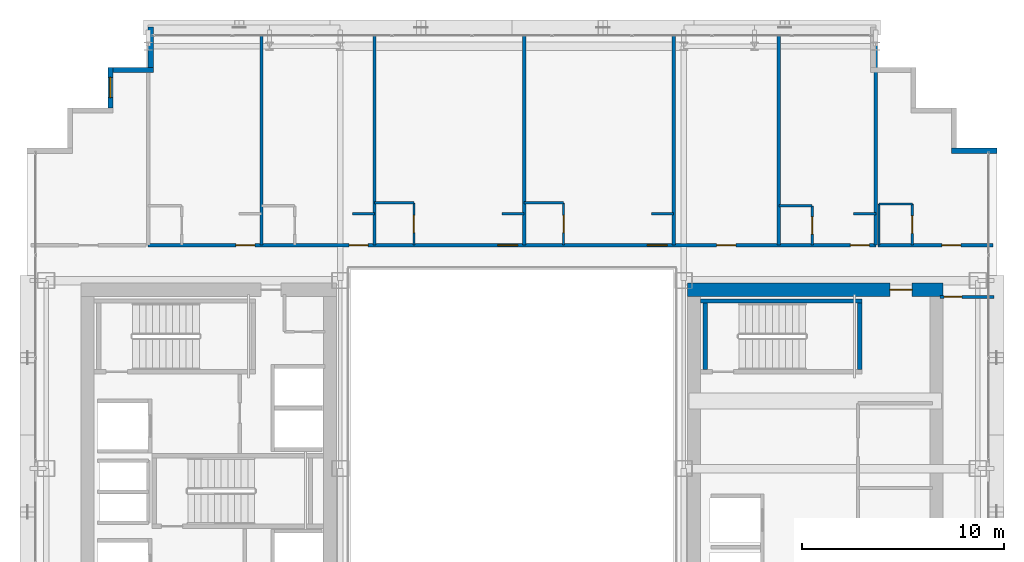
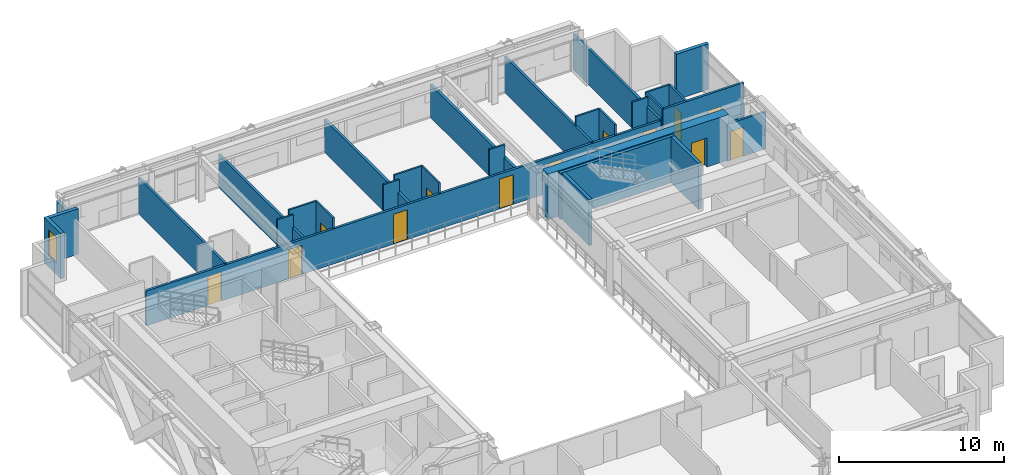
# One storey, part 30 of 35: 30 walls, 13 doors, 1 window, 14 openings.
"""IFC4 building model written with IfcOpenShell, lengths in metres."""

from ifc_helpers import new_model, si_unit, direction, frame, frame_2d, origin, place, context, subcontext, project, spatial, rectangle, extrude, source, transform, mapped, material, layer, layer_set, type_object, element, fill, save


model = new_model("IFC4")

# Units and contexts
model_context = context("Model", 3, precision=1e-05, world=origin(), true_north=direction((0.0, 1.0)))
body_context = subcontext(model_context, "Body", "Model", "MODEL_VIEW")
ifc_project = project(units=[si_unit("LENGTHUNIT", "METRE"), si_unit("AREAUNIT", "SQUARE_METRE"), si_unit("VOLUMEUNIT", "CUBIC_METRE"), si_unit("PLANEANGLEUNIT", "RADIAN"), si_unit("MASSUNIT", "GRAM", prefix="KILO")], contexts=[model_context])

# Site, building, storey
site_placement = place(None, origin())
site = spatial("IfcSite", under=ifc_project, at=site_placement, CompositionType="ELEMENT")
building_placement = place(site_placement, origin())
building = spatial("IfcBuilding", under=site, at=building_placement, Name="Ocotamira Hotel", CompositionType="ELEMENT")
storey_placement = place(building_placement, frame((0.0, 0.0, 140.39990234375)))
storey = spatial("IfcBuildingStorey", under=building, at=storey_placement, Name="L35", CompositionType="ELEMENT", Elevation=140.39990234375)

# Wall, opening, door
ifc_material_1 = material(Name="Concrete C60/75", Category="concrete")
ifc_layer_1 = layer(ifc_material_1, 0.64990234375)
ifc_layer_set_1 = layer_set([ifc_layer_1], Name="Concrete C60/75")
wall_type_1 = type_object("IfcWallType", Name="WL-CORE-650", PredefinedType="SHEAR", material=ifc_layer_set_1)
wall_1_placement = place(storey_placement, frame((40.675048828125, 37.0, 0.0), z_axis=(0.0, 0.0, 1.0), x_axis=(1.0, 0.0, 0.0)))
wall_1 = element("IfcWall", 1, at=wall_1_placement, inside=storey, type_object=wall_type_1, Name="L35 Shear Core Wall ECORE-N", PredefinedType="SHEAR", context=body_context, shape_type="SweptSolid", body=[
    extrude(rectangle(XDim=12.64990234375, YDim=0.64990234375, at=frame_2d((6.324951171875, 0.0))), origin(), (0.0, 0.0, 1.0), 3.360107421875),
])
opening_1_placement = place(wall_1_placement, frame((10.02490234375, 0.0, 0.0)))
opening_1 = element("IfcOpeningElement", 2, at=opening_1_placement, cuts=wall_1, Name="Opening D-FR1", PredefinedType="OPENING", context=body_context, shape_type="SweptSolid", body=[
    extrude(rectangle(XDim=1.10009765625, YDim=2.14990234375, at=frame_2d((0.550048828125, 1.074951171875))), frame((0.0, 0.3349609375, 0.0), z_axis=(0.0, -1.0, 0.0), x_axis=(1.0, 0.0, 0.0)), (0.0, 0.0, 1.0), 0.669921875),
])
ifc_material_2 = material(Name="Fire-rated acoustic timber-veneer door", Category="wood")
door_type_1 = type_object("IfcDoorType", Name="DR-FIRE-1100", OperationType="NOTDEFINED", PredefinedType="DOOR", material=ifc_material_2)
shared_shape_1 = source(origin(), body_context, "Body", "SweptSolid", [
    extrude(rectangle(XDim=1.10009765625, YDim=2.14990234375, at=frame_2d((0.550048828125, 1.074951171875))), frame((0.0, 0.02490234375, 0.0), z_axis=(0.0, -1.0, 0.0), x_axis=(1.0, 0.0, 0.0)), (0.0, 0.0, 1.0), 0.050048828125),
])
door_1_placement = place(opening_1_placement, origin())
door_1 = element("IfcDoor", 3, at=door_1_placement, inside=storey, type_object=door_type_1, Name="L35 Door ID-L35-ELOB-N-D [ID-L35-ELOB-N-D]", OperationType="SINGLE_SWING_LEFT", OverallHeight=2.14990234375, OverallWidth=1.10009765625, PredefinedType="DOOR", context=body_context, shape_type="MappedRepresentation", body=[
    mapped(shared_shape_1, transform((0.0, 0.0, 0.0), scale=1.0)),
])
fill(opening_1, door_1)

# Walls
ifc_material_3 = material(Name="Precast concrete C45/55", Category="concrete")
ifc_layer_2 = layer(ifc_material_3, 0.25)
ifc_layer_set_2 = layer_set([ifc_layer_2], Name="Precast concrete C45/55")
wall_type_2 = type_object("IfcWallType", Name="WL-EXT-SER-250", PredefinedType="SOLIDWALL", material=ifc_layer_set_2)
wall_2_placement = place(storey_placement, frame((56.0, 43.875, 0.0), z_axis=(0.0, 0.0, 1.0), x_axis=(-1.0, 0.0, 0.0)))
element("IfcWall", 4, at=wall_2_placement, inside=storey, type_object=wall_type_2, Name="L35 Serrated Corner Wall 07", PredefinedType="SOLIDWALL", context=body_context, shape_type="SweptSolid", body=[
    extrude(rectangle(XDim=2.25, YDim=0.25, at=frame_2d((1.125, 0.0))), origin(), (0.0, 0.0, 1.0), 3.360107421875),
])
wall_3_placement = place(storey_placement, frame((14.125, 50.0, 0.0), z_axis=(0.0, 0.0, 1.0), x_axis=(0.0, -1.0, 0.0)))
element("IfcWall", 5, at=wall_3_placement, inside=storey, type_object=wall_type_2, Name="L35 Serrated Corner Wall 13", PredefinedType="SOLIDWALL", context=body_context, shape_type="SweptSolid", body=[
    extrude(rectangle(XDim=2.0, YDim=0.25, at=frame_2d((1.0, 0.0))), origin(), (0.0, 0.0, 1.0), 2.6669921875),
])
wall_4_placement = place(storey_placement, frame((14.25, 47.875, 0.0), z_axis=(0.0, 0.0, 1.0), x_axis=(-1.0, 0.0, 0.0)))
element("IfcWall", 6, at=wall_4_placement, inside=storey, type_object=wall_type_2, Name="L35 Serrated Corner Wall 14", PredefinedType="SOLIDWALL", context=body_context, shape_type="SweptSolid", body=[
    extrude(rectangle(XDim=2.0, YDim=0.25, at=frame_2d((1.0, 0.0))), origin(), (0.0, 0.0, 1.0), 3.360107421875),
])

# Wall, opening, window
wall_5_placement = place(storey_placement, frame((12.125, 48.0, 0.0), z_axis=(0.0, 0.0, 1.0), x_axis=(0.0, -1.0, 0.0)))
wall_5 = element("IfcWall", 7, at=wall_5_placement, inside=storey, type_object=wall_type_2, Name="L35 Serrated Corner Wall 15", PredefinedType="SOLIDWALL", context=body_context, shape_type="SweptSolid", body=[
    extrude(rectangle(XDim=2.0, YDim=0.25, at=frame_2d((1.0, 0.0))), origin(), (0.0, 0.0, 1.0), 3.360107421875),
])
opening_2_placement = place(wall_5_placement, frame((0.5, 0.0, 0.85009765625)))
opening_2 = element("IfcOpeningElement", 8, at=opening_2_placement, cuts=wall_5, Name="Opening WN-2", PredefinedType="OPENING", context=body_context, shape_type="SweptSolid", body=[
    extrude(rectangle(XDim=1.0, YDim=1.89990234375, at=frame_2d((0.5, 0.949951171875))), frame((0.0, 0.135009765625, 0.0), z_axis=(0.0, -1.0, 0.0), x_axis=(1.0, 0.0, 0.0)), (0.0, 0.0, 1.0), 0.27001953125),
])
ifc_material_4 = material(Name="Double-silver low-E solar glass", Category="glass")
window_type = type_object("IfcWindowType", Name="WIN-SER-1100", PartitioningType="SINGLE_PANEL", PredefinedType="WINDOW", material=ifc_material_4)
shared_shape_2 = source(origin(), body_context, "Body", "SweptSolid", [
    extrude(rectangle(XDim=1.0, YDim=1.89990234375, at=frame_2d((0.5, 0.949951171875))), frame((0.0, 0.030029296875, 0.0), z_axis=(0.0, -1.0, 0.0), x_axis=(1.0, 0.0, 0.0)), (0.0, 0.0, 1.0), 0.06005859375),
])
window_placement = place(opening_2_placement, origin())
window = element("IfcWindow", 9, at=window_placement, inside=storey, type_object=window_type, Name="L35 Serrated Corner Window 15", OverallHeight=1.89990234375, OverallWidth=1.0, PartitioningType="SINGLE_PANEL", PredefinedType="WINDOW", context=body_context, shape_type="MappedRepresentation", body=[
    mapped(shared_shape_2, transform((0.0, 0.0, 0.0), scale=1.0)),
])
fill(opening_2, window)

# Wall, opening, door
ifc_material_5 = material(Name="Acoustic double-layer fire gypsum board partition", Category="gypsum")
ifc_layer_3 = layer(ifc_material_5, 0.159912109375)
ifc_layer_set_3 = layer_set([ifc_layer_3], Name="Acoustic double-layer fire gypsum board partition")
wall_type_3 = type_object("IfcWallType", Name="WL-FIRE-160", PredefinedType="PARTITIONING", material=ifc_layer_set_3)
wall_6_placement = place(storey_placement, frame((50.1201171875, 39.199951171875, 0.0), z_axis=(0.0, 0.0, 1.0), x_axis=(1.0, 0.0, 0.0)))
wall_6 = element("IfcWall", 10, at=wall_6_placement, inside=storey, type_object=wall_type_3, Name="L35 Interior Wall PW-L35-Z2E-CNE-CW", PredefinedType="PARTITIONING", context=body_context, shape_type="SweptSolid", body=[
    extrude(rectangle(XDim=5.679931640625, YDim=0.159912109375, at=frame_2d((2.83984375, 0.0))), origin(), (0.0, 0.0, 1.0), 3.360107421875),
])
opening_3_placement = place(wall_6_placement, frame((3.14990234375, 0.0, 0.0)))
opening_3 = element("IfcOpeningElement", 11, at=opening_3_placement, cuts=wall_6, Name="Opening D-GR1", PredefinedType="OPENING", context=body_context, shape_type="SweptSolid", body=[
    extrude(rectangle(XDim=0.93994140625, YDim=2.14990234375, at=frame_2d((0.469970703125, 1.074951171875))), frame((0.0, 0.08984375, 0.0), z_axis=(0.0, -1.0, 0.0), x_axis=(1.0, 0.0, 0.0)), (0.0, 0.0, 1.0), 0.179931640625),
])
ifc_material_6 = material(Name="Solid-core walnut suite entrance fire door", Category="wood")
door_type_2 = type_object("IfcDoorType", Name="DR-GUEST-940", OperationType="NOTDEFINED", PredefinedType="DOOR", material=ifc_material_6)
shared_shape_3 = source(origin(), body_context, "Body", "SweptSolid", [
    extrude(rectangle(XDim=0.93994140625, YDim=2.14990234375, at=frame_2d((0.469970703125, 1.074951171875))), frame((0.0, 0.02490234375, 0.0), z_axis=(0.0, -1.0, 0.0), x_axis=(1.0, 0.0, 0.0)), (0.0, 0.0, 1.0), 0.050048828125),
])
door_2_placement = place(opening_3_placement, origin())
door_2 = element("IfcDoor", 12, at=door_2_placement, inside=storey, type_object=door_type_2, Name="L35 Door ID-L35-Z2E-CNE-CD [ID-L35-Z2E-CNE-CD]", OperationType="SINGLE_SWING_RIGHT", OverallHeight=2.14990234375, OverallWidth=0.93994140625, PredefinedType="DOOR", context=body_context, shape_type="MappedRepresentation", body=[
    mapped(shared_shape_3, transform((0.0, 0.0, 0.0), scale=1.0)),
])
fill(opening_3, door_2)

# Wall, openings, doors
wall_7_placement = place(storey_placement, frame((14.0, 39.199951171875, 0.0), z_axis=(0.0, 0.0, 1.0), x_axis=(1.0, 0.0, 0.0)))
wall_7 = element("IfcWall", 13, at=wall_7_placement, inside=storey, type_object=wall_type_3, Name="L35 Interior Wall PW-L35-Z2EN-CORRW", PredefinedType="PARTITIONING", context=body_context, shape_type="SweptSolid", body=[
    extrude(rectangle(XDim=36.0, YDim=0.159912109375, at=frame_2d((18.0, 0.0))), origin(), (0.0, 0.0, 1.0), 2.5810546875),
])
opening_4_placement = place(wall_7_placement, frame((4.340087890625, 0.0, 0.0)))
opening_4 = element("IfcOpeningElement", 14, at=opening_4_placement, cuts=wall_7, Name="Opening D-GR1", PredefinedType="OPENING", context=body_context, shape_type="SweptSolid", body=[
    extrude(rectangle(XDim=0.93994140625, YDim=2.14990234375, at=frame_2d((0.469970703125, 1.074951171875))), frame((0.0, 0.08984375, 0.0), z_axis=(0.0, -1.0, 0.0), x_axis=(1.0, 0.0, 0.0)), (0.0, 0.0, 1.0), 0.179931640625),
])
opening_5_placement = place(wall_7_placement, frame((9.93994140625, 0.0, 0.0)))
opening_5 = element("IfcOpeningElement", 15, at=opening_5_placement, cuts=wall_7, Name="Opening D-GR1", PredefinedType="OPENING", context=body_context, shape_type="SweptSolid", body=[
    extrude(rectangle(XDim=0.93994140625, YDim=2.14990234375, at=frame_2d((0.469970703125, 1.074951171875))), frame((0.0, 0.08984375, 0.0), z_axis=(0.0, -1.0, 0.0), x_axis=(1.0, 0.0, 0.0)), (0.0, 0.0, 1.0), 0.179931640625),
])
opening_6_placement = place(wall_7_placement, frame((17.300048828125, 0.0, 0.0)))
opening_6 = element("IfcOpeningElement", 16, at=opening_6_placement, cuts=wall_7, Name="Opening D-GR2", PredefinedType="OPENING", context=body_context, shape_type="SweptSolid", body=[
    extrude(rectangle(XDim=0.97998046875, YDim=2.199951171875, at=frame_2d((0.489990234375, 1.10009765625))), frame((0.0, 0.08984375, 0.0), z_axis=(0.0, -1.0, 0.0), x_axis=(1.0, 0.0, 0.0)), (0.0, 0.0, 1.0), 0.179931640625),
])
opening_7_placement = place(wall_7_placement, frame((24.699951171875, 0.0, 0.0)))
opening_7 = element("IfcOpeningElement", 17, at=opening_7_placement, cuts=wall_7, Name="Opening D-GR2", PredefinedType="OPENING", context=body_context, shape_type="SweptSolid", body=[
    extrude(rectangle(XDim=0.97998046875, YDim=2.199951171875, at=frame_2d((0.489990234375, 1.10009765625))), frame((0.0, 0.08984375, 0.0), z_axis=(0.0, -1.0, 0.0), x_axis=(1.0, 0.0, 0.0)), (0.0, 0.0, 1.0), 0.179931640625),
])
opening_8_placement = place(wall_7_placement, frame((28.1201171875, 0.0, 0.0)))
opening_8 = element("IfcOpeningElement", 18, at=opening_8_placement, cuts=wall_7, Name="Opening D-SV4", PredefinedType="OPENING", context=body_context, shape_type="SweptSolid", body=[
    extrude(rectangle(XDim=0.9599609375, YDim=2.14990234375, at=frame_2d((0.47998046875, 1.074951171875))), frame((0.0, 0.08984375, 0.0), z_axis=(0.0, -1.0, 0.0), x_axis=(1.0, 0.0, 0.0)), (0.0, 0.0, 1.0), 0.179931640625),
])
opening_9_placement = place(wall_7_placement, frame((34.739990234375, 0.0, 0.0)))
opening_9 = element("IfcOpeningElement", 19, at=opening_9_placement, cuts=wall_7, Name="Opening D-GR1", PredefinedType="OPENING", context=body_context, shape_type="SweptSolid", body=[
    extrude(rectangle(XDim=0.93994140625, YDim=2.14990234375, at=frame_2d((0.469970703125, 1.074951171875))), frame((0.0, 0.08984375, 0.0), z_axis=(0.0, -1.0, 0.0), x_axis=(1.0, 0.0, 0.0)), (0.0, 0.0, 1.0), 0.179931640625),
])
ifc_material_7 = material(Name="Fire-rated accessible walnut salon door", Category="wood")
door_type_3 = type_object("IfcDoorType", Name="DR-SERV-960", OperationType="NOTDEFINED", PredefinedType="DOOR", material=ifc_material_7)
shared_shape_4 = source(origin(), body_context, "Body", "SweptSolid", [
    extrude(rectangle(XDim=0.9599609375, YDim=2.14990234375, at=frame_2d((0.47998046875, 1.074951171875))), frame((0.0, 0.02490234375, 0.0), z_axis=(0.0, -1.0, 0.0), x_axis=(1.0, 0.0, 0.0)), (0.0, 0.0, 1.0), 0.050048828125),
])
door_3_placement = place(opening_8_placement, origin())
door_3 = element("IfcDoor", 20, at=door_3_placement, inside=storey, type_object=door_type_3, Name="L35 Door ID-L35-Z2EN-AMD5 [ID-L35-Z2EN-AMD5]", OperationType="SINGLE_SWING_LEFT", OverallHeight=2.14990234375, OverallWidth=0.9599609375, PredefinedType="DOOR", context=body_context, shape_type="MappedRepresentation", body=[
    mapped(shared_shape_4, transform((0.0, 0.0, 0.0), scale=1.0)),
])
fill(opening_8, door_3)
door_4_placement = place(opening_4_placement, origin())
door_4 = element("IfcDoor", 21, at=door_4_placement, inside=storey, type_object=door_type_2, Name="L35 Door ID-L35-Z2EN-RMD1 [ID-L35-Z2EN-RMD1]", OperationType="SINGLE_SWING_LEFT", OverallHeight=2.14990234375, OverallWidth=0.93994140625, PredefinedType="DOOR", context=body_context, shape_type="MappedRepresentation", body=[
    mapped(shared_shape_3, transform((0.0, 0.0, 0.0), scale=1.0)),
])
fill(opening_4, door_4)
door_5_placement = place(opening_5_placement, origin())
door_5 = element("IfcDoor", 22, at=door_5_placement, inside=storey, type_object=door_type_2, Name="L35 Door ID-L35-Z2EN-RMD2 [ID-L35-Z2EN-RMD2]", OperationType="SINGLE_SWING_RIGHT", OverallHeight=2.14990234375, OverallWidth=0.93994140625, PredefinedType="DOOR", context=body_context, shape_type="MappedRepresentation", body=[
    mapped(shared_shape_3, transform((0.0, 0.0, 0.0), scale=1.0)),
])
fill(opening_5, door_5)
door_6_placement = place(opening_9_placement, origin())
door_6 = element("IfcDoor", 23, at=door_6_placement, inside=storey, type_object=door_type_2, Name="L35 Door ID-L35-Z2EN-RMD6 [ID-L35-Z2EN-RMD6]", OperationType="SINGLE_SWING_RIGHT", OverallHeight=2.14990234375, OverallWidth=0.93994140625, PredefinedType="DOOR", context=body_context, shape_type="MappedRepresentation", body=[
    mapped(shared_shape_3, transform((0.0, 0.0, 0.0), scale=1.0)),
])
fill(opening_9, door_6)
ifc_material_8 = material(Name="Solid-core walnut grand-suite entrance fire door", Category="wood")
door_type_4 = type_object("IfcDoorType", Name="DR-GUEST-980", OperationType="NOTDEFINED", PredefinedType="DOOR", material=ifc_material_8)
shared_shape_5 = source(origin(), body_context, "Body", "SweptSolid", [
    extrude(rectangle(XDim=0.97998046875, YDim=2.199951171875, at=frame_2d((0.489990234375, 1.10009765625))), frame((0.0, 0.02490234375, 0.0), z_axis=(0.0, -1.0, 0.0), x_axis=(1.0, 0.0, 0.0)), (0.0, 0.0, 1.0), 0.050048828125),
])
door_7_placement = place(opening_6_placement, origin())
door_7 = element("IfcDoor", 24, at=door_7_placement, inside=storey, type_object=door_type_4, Name="L35 Door ID-L35-Z2EN-RMD3 [ID-L35-Z2EN-RMD3]", OperationType="SINGLE_SWING_LEFT", OverallHeight=2.199951171875, OverallWidth=0.97998046875, PredefinedType="DOOR", context=body_context, shape_type="MappedRepresentation", body=[
    mapped(shared_shape_5, transform((0.0, 0.0, 0.0), scale=1.0)),
])
fill(opening_6, door_7)
door_8_placement = place(opening_7_placement, origin())
door_8 = element("IfcDoor", 25, at=door_8_placement, inside=storey, type_object=door_type_4, Name="L35 Door ID-L35-Z2EN-RMD4 [ID-L35-Z2EN-RMD4]", OperationType="SINGLE_SWING_RIGHT", OverallHeight=2.199951171875, OverallWidth=0.97998046875, PredefinedType="DOOR", context=body_context, shape_type="MappedRepresentation", body=[
    mapped(shared_shape_5, transform((0.0, 0.0, 0.0), scale=1.0)),
])
fill(opening_7, door_8)

# Wall, opening, door
ifc_material_9 = material(Name="Moisture-resistant en-suite tile and gypsum partition", Category="gypsum")
ifc_layer_4 = layer(ifc_material_9, 0.1201171875)
ifc_layer_set_4 = layer_set([ifc_layer_4], Name="Moisture-resistant en-suite tile and gypsum partition")
wall_type_4 = type_object("IfcWallType", Name="WL-PART-120", PredefinedType="PARTITIONING", material=ifc_layer_set_4)
wall_8_placement = place(storey_placement, frame((51.81005859375, 39.199951171875, 0.0), z_axis=(0.0, 0.0, 1.0), x_axis=(0.0, 1.0, 0.0)))
wall_8 = element("IfcWall", 26, at=wall_8_placement, inside=storey, type_object=wall_type_4, Name="L35 Interior Wall PW-L35-Z2E-CNE-BE", PredefinedType="PARTITIONING", context=body_context, shape_type="SweptSolid", body=[
    extrude(rectangle(XDim=2.0400390625, YDim=0.1201171875, at=frame_2d((1.02001953125, 0.0))), origin(), (0.0, 0.0, 1.0), 3.360107421875),
])
opening_10_placement = place(wall_8_placement, frame((0.590087890625, 0.0, 0.0)))
opening_10 = element("IfcOpeningElement", 27, at=opening_10_placement, cuts=wall_8, Name="Opening D-BA1", PredefinedType="OPENING", context=body_context, shape_type="SweptSolid", body=[
    extrude(rectangle(XDim=0.860107421875, YDim=2.10009765625, at=frame_2d((0.43017578125, 1.050048828125))), frame((0.0, 0.070068359375, 0.0), z_axis=(0.0, -1.0, 0.0), x_axis=(1.0, 0.0, 0.0)), (0.0, 0.0, 1.0), 0.14013671875),
])
ifc_material_10 = material(Name="Moisture-sealed en-suite timber door", Category="wood")
door_type_5 = type_object("IfcDoorType", Name="DR-BATH-860", OperationType="NOTDEFINED", PredefinedType="DOOR", material=ifc_material_10)
shared_shape_6 = source(origin(), body_context, "Body", "SweptSolid", [
    extrude(rectangle(XDim=0.860107421875, YDim=2.10009765625, at=frame_2d((0.43017578125, 1.050048828125))), frame((0.0, 0.02490234375, 0.0), z_axis=(0.0, -1.0, 0.0), x_axis=(1.0, 0.0, 0.0)), (0.0, 0.0, 1.0), 0.050048828125),
])
door_9_placement = place(opening_10_placement, origin())
door_9 = element("IfcDoor", 28, at=door_9_placement, inside=storey, type_object=door_type_5, Name="L35 Door ID-L35-Z2E-CNE-BD [ID-L35-Z2E-CNE-BD]", OperationType="SINGLE_SWING_LEFT", OverallHeight=2.10009765625, OverallWidth=0.860107421875, PredefinedType="DOOR", context=body_context, shape_type="MappedRepresentation", body=[
    mapped(shared_shape_6, transform((0.0, 0.0, 0.0), scale=1.0)),
])
fill(opening_10, door_9)

# Walls
wall_9_placement = place(storey_placement, frame((50.159912109375, 39.199951171875, 0.0), z_axis=(0.0, 0.0, 1.0), x_axis=(0.0, 1.0, 0.0)))
element("IfcWall", 29, at=wall_9_placement, inside=storey, type_object=wall_type_4, Name="L35 Interior Wall PW-L35-Z2E-CNE-BW", PredefinedType="PARTITIONING", context=body_context, shape_type="SweptSolid", body=[
    extrude(rectangle(XDim=2.0400390625, YDim=0.1201171875, at=frame_2d((1.02001953125, 0.0))), origin(), (0.0, 0.0, 1.0), 3.360107421875),
])
wall_10_placement = place(storey_placement, frame((50.159912109375, 41.239990234375, 0.0), z_axis=(0.0, 0.0, 1.0), x_axis=(1.0, 0.0, 0.0)))
element("IfcWall", 30, at=wall_10_placement, inside=storey, type_object=wall_type_4, Name="L35 Interior Wall PW-L35-Z2E-CNE-BH", PredefinedType="PARTITIONING", context=body_context, shape_type="SweptSolid", body=[
    extrude(rectangle(XDim=1.650146484375, YDim=0.1201171875, at=frame_2d((0.8251953125, 0.0))), origin(), (0.0, 0.0, 1.0), 3.360107421875),
])
wall_11_placement = place(storey_placement, frame((24.10009765625, 40.75, 0.0), z_axis=(0.0, 0.0, 1.0), x_axis=(1.0, 0.0, 0.0)))
element("IfcWall", 31, at=wall_11_placement, inside=storey, type_object=wall_type_4, Name="L35 Interior Wall PW-L35-Z2EN-DRN2", PredefinedType="PARTITIONING", context=body_context, shape_type="SweptSolid", body=[
    extrude(rectangle(XDim=1.099853515625, YDim=0.1201171875, at=frame_2d((0.5498046875, 0.0))), origin(), (0.0, 0.0, 1.0), 3.360107421875),
])

# Wall, opening, door
wall_12_placement = place(storey_placement, frame((27.14990234375, 39.199951171875, 0.0), z_axis=(0.0, 0.0, 1.0), x_axis=(0.0, 1.0, 0.0)))
wall_12 = element("IfcWall", 32, at=wall_12_placement, inside=storey, type_object=wall_type_4, Name="L35 Interior Wall PW-L35-Z2EN-BAE3", PredefinedType="PARTITIONING", context=body_context, shape_type="SweptSolid", body=[
    extrude(rectangle(XDim=2.10009765625, YDim=0.1201171875, at=frame_2d((1.050048828125, 0.0))), origin(), (0.0, 0.0, 1.0), 3.360107421875),
])
opening_11_placement = place(wall_12_placement, frame((0.6201171875, 0.0, 0.0)))
opening_11 = element("IfcOpeningElement", 33, at=opening_11_placement, cuts=wall_12, Name="Opening D-BA1", PredefinedType="OPENING", context=body_context, shape_type="SweptSolid", body=[
    extrude(rectangle(XDim=0.860107421875, YDim=2.10009765625, at=frame_2d((0.43017578125, 1.050048828125))), frame((0.0, 0.070068359375, 0.0), z_axis=(0.0, -1.0, 0.0), x_axis=(1.0, 0.0, 0.0)), (0.0, 0.0, 1.0), 0.14013671875),
])
door_10_placement = place(opening_11_placement, origin())
door_10 = element("IfcDoor", 34, at=door_10_placement, inside=storey, type_object=door_type_5, Name="L35 Door ID-L35-Z2EN-BAD3 [ID-L35-Z2EN-BAD3]", OperationType="SINGLE_SWING_RIGHT", OverallHeight=2.10009765625, OverallWidth=0.860107421875, PredefinedType="DOOR", context=body_context, shape_type="MappedRepresentation", body=[
    mapped(shared_shape_6, transform((0.0, 0.0, 0.0), scale=1.0)),
])
fill(opening_11, door_10)

# Walls
wall_13_placement = place(storey_placement, frame((25.199951171875, 41.300048828125, 0.0), z_axis=(0.0, 0.0, 1.0), x_axis=(1.0, 0.0, 0.0)))
element("IfcWall", 35, at=wall_13_placement, inside=storey, type_object=wall_type_4, Name="L35 Interior Wall PW-L35-Z2EN-BAN3", PredefinedType="PARTITIONING", context=body_context, shape_type="SweptSolid", body=[
    extrude(rectangle(XDim=1.949951171875, YDim=0.1201171875, at=frame_2d((0.97509765625, 0.0))), origin(), (0.0, 0.0, 1.0), 3.360107421875),
])
wall_14_placement = place(storey_placement, frame((31.5, 40.75, 0.0), z_axis=(0.0, 0.0, 1.0), x_axis=(1.0, 0.0, 0.0)))
element("IfcWall", 36, at=wall_14_placement, inside=storey, type_object=wall_type_4, Name="L35 Interior Wall PW-L35-Z2EN-DRN3", PredefinedType="PARTITIONING", context=body_context, shape_type="SweptSolid", body=[
    extrude(rectangle(XDim=1.10009765625, YDim=0.1201171875, at=frame_2d((0.550048828125, 0.0))), origin(), (0.0, 0.0, 1.0), 3.360107421875),
])

# Wall, opening, door
wall_15_placement = place(storey_placement, frame((34.550048828125, 39.199951171875, 0.0), z_axis=(0.0, 0.0, 1.0), x_axis=(0.0, 1.0, 0.0)))
wall_15 = element("IfcWall", 37, at=wall_15_placement, inside=storey, type_object=wall_type_4, Name="L35 Interior Wall PW-L35-Z2EN-BAE4", PredefinedType="PARTITIONING", context=body_context, shape_type="SweptSolid", body=[
    extrude(rectangle(XDim=2.10009765625, YDim=0.1201171875, at=frame_2d((1.050048828125, 0.0))), origin(), (0.0, 0.0, 1.0), 3.360107421875),
])
opening_12_placement = place(wall_15_placement, frame((0.6201171875, 0.0, 0.0)))
opening_12 = element("IfcOpeningElement", 38, at=opening_12_placement, cuts=wall_15, Name="Opening D-BA1", PredefinedType="OPENING", context=body_context, shape_type="SweptSolid", body=[
    extrude(rectangle(XDim=0.860107421875, YDim=2.10009765625, at=frame_2d((0.43017578125, 1.050048828125))), frame((0.0, 0.070068359375, 0.0), z_axis=(0.0, -1.0, 0.0), x_axis=(1.0, 0.0, 0.0)), (0.0, 0.0, 1.0), 0.14013671875),
])
door_11_placement = place(opening_12_placement, origin())
door_11 = element("IfcDoor", 39, at=door_11_placement, inside=storey, type_object=door_type_5, Name="L35 Door ID-L35-Z2EN-BAD4 [ID-L35-Z2EN-BAD4]", OperationType="SINGLE_SWING_LEFT", OverallHeight=2.10009765625, OverallWidth=0.860107421875, PredefinedType="DOOR", context=body_context, shape_type="MappedRepresentation", body=[
    mapped(shared_shape_6, transform((0.0, 0.0, 0.0), scale=1.0)),
])
fill(opening_12, door_11)

# Walls
wall_16_placement = place(storey_placement, frame((32.60009765625, 41.300048828125, 0.0), z_axis=(0.0, 0.0, 1.0), x_axis=(1.0, 0.0, 0.0)))
element("IfcWall", 40, at=wall_16_placement, inside=storey, type_object=wall_type_4, Name="L35 Interior Wall PW-L35-Z2EN-BAN4", PredefinedType="PARTITIONING", context=body_context, shape_type="SweptSolid", body=[
    extrude(rectangle(XDim=1.949951171875, YDim=0.1201171875, at=frame_2d((0.97509765625, 0.0))), origin(), (0.0, 0.0, 1.0), 3.360107421875),
])
wall_17_placement = place(storey_placement, frame((38.89990234375, 40.75, 0.0), z_axis=(0.0, 0.0, 1.0), x_axis=(1.0, 0.0, 0.0)))
element("IfcWall", 41, at=wall_17_placement, inside=storey, type_object=wall_type_4, Name="L35 Interior Wall PW-L35-Z2EN-DRN4", PredefinedType="PARTITIONING", context=body_context, shape_type="SweptSolid", body=[
    extrude(rectangle(XDim=1.10009765625, YDim=0.1201171875, at=frame_2d((0.550048828125, 0.0))), origin(), (0.0, 0.0, 1.0), 3.360107421875),
])

# Wall, opening, door
wall_18_placement = place(storey_placement, frame((46.85009765625, 39.199951171875, 0.0), z_axis=(0.0, 0.0, 1.0), x_axis=(0.0, 1.0, 0.0)))
wall_18 = element("IfcWall", 42, at=wall_18_placement, inside=storey, type_object=wall_type_4, Name="L35 Interior Wall PW-L35-Z2EN-BAE6", PredefinedType="PARTITIONING", context=body_context, shape_type="SweptSolid", body=[
    extrude(rectangle(XDim=1.949951171875, YDim=0.1201171875, at=frame_2d((0.97509765625, 0.0))), origin(), (0.0, 0.0, 1.0), 3.360107421875),
])
opening_13_placement = place(wall_18_placement, frame((0.544921875, 0.0, 0.0)))
opening_13 = element("IfcOpeningElement", 43, at=opening_13_placement, cuts=wall_18, Name="Opening D-BA1", PredefinedType="OPENING", context=body_context, shape_type="SweptSolid", body=[
    extrude(rectangle(XDim=0.860107421875, YDim=2.10009765625, at=frame_2d((0.43017578125, 1.050048828125))), frame((0.0, 0.070068359375, 0.0), z_axis=(0.0, -1.0, 0.0), x_axis=(1.0, 0.0, 0.0)), (0.0, 0.0, 1.0), 0.14013671875),
])
door_12_placement = place(opening_13_placement, origin())
door_12 = element("IfcDoor", 44, at=door_12_placement, inside=storey, type_object=door_type_5, Name="L35 Door ID-L35-Z2EN-BAD6 [ID-L35-Z2EN-BAD6]", OperationType="SINGLE_SWING_LEFT", OverallHeight=2.10009765625, OverallWidth=0.860107421875, PredefinedType="DOOR", context=body_context, shape_type="MappedRepresentation", body=[
    mapped(shared_shape_6, transform((0.0, 0.0, 0.0), scale=1.0)),
])
fill(opening_13, door_12)

# Walls
wall_19_placement = place(storey_placement, frame((45.199951171875, 41.14990234375, 0.0), z_axis=(0.0, 0.0, 1.0), x_axis=(1.0, 0.0, 0.0)))
element("IfcWall", 45, at=wall_19_placement, inside=storey, type_object=wall_type_4, Name="L35 Interior Wall PW-L35-Z2EN-BAN6", PredefinedType="PARTITIONING", context=body_context, shape_type="SweptSolid", body=[
    extrude(rectangle(XDim=1.650146484375, YDim=0.1201171875, at=frame_2d((0.8251953125, 0.0))), origin(), (0.0, 0.0, 1.0), 3.360107421875),
])
wall_20_placement = place(storey_placement, frame((48.89990234375, 40.75, 0.0), z_axis=(0.0, 0.0, 1.0), x_axis=(1.0, 0.0, 0.0)))
element("IfcWall", 46, at=wall_20_placement, inside=storey, type_object=wall_type_4, Name="L35 Interior Wall PW-L35-Z2EN-DRN6", PredefinedType="PARTITIONING", context=body_context, shape_type="SweptSolid", body=[
    extrude(rectangle(XDim=1.10009765625, YDim=0.1201171875, at=frame_2d((0.550048828125, 0.0))), origin(), (0.0, 0.0, 1.0), 3.360107421875),
])

# Wall, opening, door
ifc_material_11 = material(Name="Acoustic hospitality gypsum board partition", Category="gypsum")
ifc_layer_5 = layer(ifc_material_11, 0.14990234375)
ifc_layer_set_5 = layer_set([ifc_layer_5], Name="Acoustic hospitality gypsum board partition")
wall_type_5 = type_object("IfcWallType", Name="WL-PART-150", PredefinedType="PARTITIONING", material=ifc_layer_set_5)
wall_21_placement = place(storey_placement, frame((53.179931640625, 36.639892578125, 0.0), z_axis=(0.0, 0.0, 1.0), x_axis=(1.0, 0.0, 0.0)))
wall_21 = element("IfcWall", 47, at=wall_21_placement, inside=storey, type_object=wall_type_5, Name="L35 Interior Wall PW-L35-Z2E-EF-WN", PredefinedType="PARTITIONING", context=body_context, shape_type="SweptSolid", body=[
    extrude(rectangle(XDim=2.66015625, YDim=0.14990234375, at=frame_2d((1.330078125, 0.0))), origin(), (0.0, 0.0, 1.0), 2.7431640625),
])
opening_14_placement = place(wall_21_placement, frame((0.199951171875, 0.0, 0.0)))
opening_14 = element("IfcOpeningElement", 48, at=opening_14_placement, cuts=wall_21, Name="Opening D-SV2", PredefinedType="OPENING", context=body_context, shape_type="SweptSolid", body=[
    extrude(rectangle(XDim=0.8798828125, YDim=2.14990234375, at=frame_2d((0.43994140625, 1.074951171875))), frame((0.0, 0.0849609375, 0.0), z_axis=(0.0, -1.0, 0.0), x_axis=(1.0, 0.0, 0.0)), (0.0, 0.0, 1.0), 0.169921875),
])
ifc_material_12 = material(Name="Fire-rated painted steel service door", Category="steel")
door_type_6 = type_object("IfcDoorType", Name="DR-SERV-880", OperationType="NOTDEFINED", PredefinedType="DOOR", material=ifc_material_12)
shared_shape_7 = source(origin(), body_context, "Body", "SweptSolid", [
    extrude(rectangle(XDim=0.8798828125, YDim=2.14990234375, at=frame_2d((0.43994140625, 1.074951171875))), frame((0.0, 0.02490234375, 0.0), z_axis=(0.0, -1.0, 0.0), x_axis=(1.0, 0.0, 0.0)), (0.0, 0.0, 1.0), 0.050048828125),
])
door_13_placement = place(opening_14_placement, origin())
door_13 = element("IfcDoor", 49, at=door_13_placement, inside=storey, type_object=door_type_6, Name="L35 Door ID-L35-Z2E-EF-DN [ID-L35-Z2E-EF-DN]", OperationType="SINGLE_SWING_LEFT", OverallHeight=2.14990234375, OverallWidth=0.8798828125, PredefinedType="DOOR", context=body_context, shape_type="MappedRepresentation", body=[
    mapped(shared_shape_7, transform((0.0, 0.0, 0.0), scale=1.0)),
])
fill(opening_14, door_13)

# Walls
ifc_material_13 = material(Name="Acoustic double-stud hospitality gypsum partition", Category="gypsum")
ifc_layer_6 = layer(ifc_material_13, 0.159912109375)
ifc_layer_set_6 = layer_set([ifc_layer_6], Name="Acoustic double-stud hospitality gypsum partition")
wall_type_6 = type_object("IfcWallType", Name="WL-PART-160", PredefinedType="PARTITIONING", material=ifc_layer_set_6)
for number, where, z_axis, x_axis, name in (
    (50, (50.0, 39.199951171875, 0.0), (0.0, 0.0, 1.0), (0.0, 1.0, 0.0), "L35 Interior Wall PW-L35-Z2EN-PWEND"),
    (51, (19.60009765625, 39.199951171875, 0.0), (0.0, 0.0, 1.0), (0.0, 1.0, 0.0), "L35 Interior Wall PW-L35-Z2EN-PW1"),
):
    element("IfcWall", number, at=place(storey_placement, frame(where, z_axis=z_axis, x_axis=x_axis)), inside=storey, type_object=wall_type_6, Name=name, PredefinedType="PARTITIONING", context=body_context, shape_type="SweptSolid", body=[
        extrude(rectangle(XDim=10.43994140625, YDim=0.159912109375, at=frame_2d((5.219970703125, 0.0))), origin(), (0.0, 0.0, 1.0), 2.6669921875),
    ])
wall_22_placement = place(storey_placement, frame((25.199951171875, 39.199951171875, 0.0), z_axis=(0.0, 0.0, 1.0), x_axis=(0.0, 1.0, 0.0)))
element("IfcWall", 52, at=wall_22_placement, inside=storey, type_object=wall_type_6, Name="L35 Interior Wall PW-L35-Z2EN-PW2", PredefinedType="PARTITIONING", context=body_context, shape_type="SweptSolid", body=[
    extrude(rectangle(XDim=10.43994140625, YDim=0.159912109375, at=frame_2d((5.219970703125, 0.0))), origin(), (0.0, 0.0, 1.0), 2.43310546875),
])
wall_23_placement = place(storey_placement, frame((45.199951171875, 39.199951171875, 0.0), z_axis=(0.0, 0.0, 1.0), x_axis=(0.0, 1.0, 0.0)))
element("IfcWall", 53, at=wall_23_placement, inside=storey, type_object=wall_type_6, Name="L35 Interior Wall PW-L35-Z2EN-PW5", PredefinedType="PARTITIONING", context=body_context, shape_type="SweptSolid", body=[
    extrude(rectangle(XDim=10.43994140625, YDim=0.159912109375, at=frame_2d((5.219970703125, 0.0))), origin(), (0.0, 0.0, 1.0), 2.6669921875),
])
ifc_material_14 = material(Name="Double-stud suite party gypsum partition", Category="gypsum")
ifc_layer_7 = layer(ifc_material_14, 0.175048828125)
ifc_layer_set_7 = layer_set([ifc_layer_7], Name="Double-stud suite party gypsum partition")
wall_type_7 = type_object("IfcWallType", Name="WL-PART-175", PredefinedType="PARTITIONING", material=ifc_layer_set_7)
for number, where, z_axis, x_axis, name in (
    (54, (32.60009765625, 39.199951171875, 0.0), (0.0, 0.0, 1.0), (0.0, 1.0, 0.0), "L35 Interior Wall PW-L35-Z2EN-PW3"),
    (55, (40.0, 39.199951171875, 0.0), (0.0, 0.0, 1.0), (0.0, 1.0, 0.0), "L35 Interior Wall PW-L35-Z2EN-PW4"),
):
    element("IfcWall", number, at=place(storey_placement, frame(where, z_axis=z_axis, x_axis=x_axis)), inside=storey, type_object=wall_type_7, Name=name, PredefinedType="PARTITIONING", context=body_context, shape_type="SweptSolid", body=[
        extrude(rectangle(XDim=10.43994140625, YDim=0.175048828125, at=frame_2d((5.219970703125, 0.0))), origin(), (0.0, 0.0, 1.0), 2.43310546875),
    ])
ifc_material_15 = material(Name="Concrete C50/60", Category="concrete")
ifc_layer_8 = layer(ifc_material_15, 0.219970703125)
ifc_layer_set_8 = layer_set([ifc_layer_8], Name="Concrete C50/60")
wall_type_8 = type_object("IfcWallType", Name="WL-STAIR-220", PredefinedType="SHEAR", material=ifc_layer_set_8)
wall_24_placement = place(storey_placement, frame((41.324951171875, 36.43994140625, 0.0), z_axis=(0.0, 0.0, 1.0), x_axis=(1.0, 0.0, 0.0)))
element("IfcWall", 56, at=wall_24_placement, inside=storey, type_object=wall_type_8, Name="L35 Stair Shaft Structural Wall ST-4-N", PredefinedType="SHEAR", context=body_context, shape_type="SweptSolid", body=[
    extrude(rectangle(XDim=7.985107421875, YDim=0.219970703125, at=frame_2d((3.99267578125, 0.0))), origin(), (0.0, 0.0, 1.0), 3.400146484375),
])
for number, where, z_axis, x_axis, name in (
    (57, (41.56005859375, 33.050048828125, 0.0), (0.0, 0.0, 1.0), (0.0, 1.0, 0.0), "L35 Stair Shaft Structural Wall ST-4-W"),
    (58, (49.199951171875, 33.050048828125, 0.0), (0.0, 0.0, 1.0), (0.0, 1.0, 0.0), "L35 Stair Shaft Structural Wall ST-4-E"),
):
    element("IfcWall", number, at=place(storey_placement, frame(where, z_axis=z_axis, x_axis=x_axis)), inside=storey, type_object=wall_type_8, Name=name, PredefinedType="SHEAR", context=body_context, shape_type="SweptSolid", body=[
        extrude(rectangle(XDim=3.280029296875, YDim=0.219970703125, at=frame_2d((1.64013671875, 0.0))), origin(), (0.0, 0.0, 1.0), 3.400146484375),
    ])

save(model, "model.ifc")
